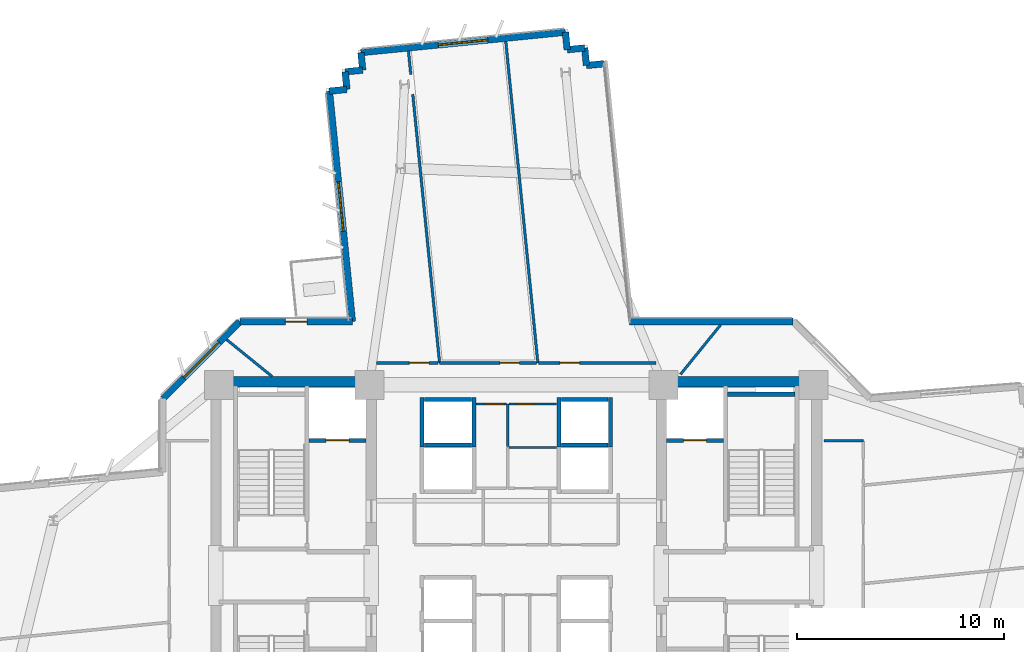
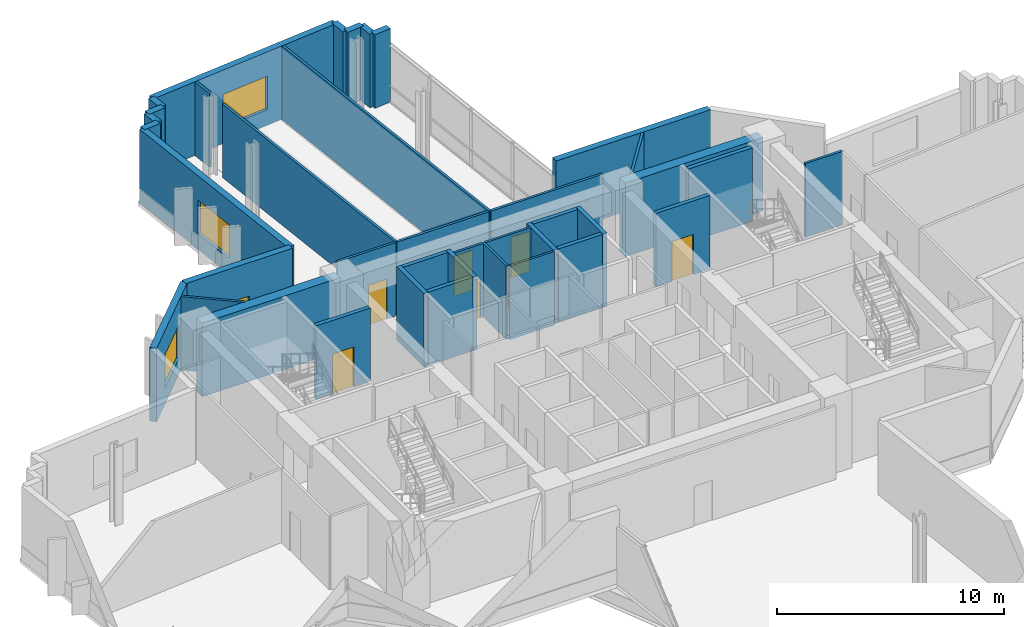
# One storey, part 9 of 14: 39 walls, 8 doors, 3 windows, 11 openings.
"""IFC4 building model written with IfcOpenShell, lengths in metres."""

from ifc_helpers import new_model, si_unit, direction, frame, frame_2d, origin, place, context, subcontext, project, spatial, rectangle, extrude, source, transform, mapped, material, layer, layer_set, type_object, element, fill, save


model = new_model("IFC4")

# Units and contexts
model_context = context("Model", 3, precision=1e-05, world=origin(), true_north=direction((0.0, 1.0)))
body_context = subcontext(model_context, "Body", "Model", "MODEL_VIEW")
ifc_project = project(units=[si_unit("LENGTHUNIT", "METRE"), si_unit("AREAUNIT", "SQUARE_METRE"), si_unit("VOLUMEUNIT", "CUBIC_METRE"), si_unit("PLANEANGLEUNIT", "RADIAN"), si_unit("MASSUNIT", "GRAM", prefix="KILO")], contexts=[model_context])

# Site, building, storey
site_placement = place(None, origin())
site = spatial("IfcSite", under=ifc_project, at=site_placement, CompositionType="ELEMENT")
building_placement = place(site_placement, origin())
building = spatial("IfcBuilding", under=site, at=building_placement, Name="Zahravan Cultural Tower", CompositionType="ELEMENT")
storey_placement = place(building_placement, frame((0.0, 0.0, 100.5)))
storey = spatial("IfcBuildingStorey", under=building, at=storey_placement, Name="L22", CompositionType="ELEMENT", Elevation=100.5)

# Wall, opening, window
ifc_material_1 = material(Name="Precast concrete C40/50", Category="concrete")
ifc_layer_1 = layer(ifc_material_1, 0.320068359375)
ifc_layer_set_1 = layer_set([ifc_layer_1], Name="Precast concrete C40/50")
wall_type_1 = type_object("IfcWallType", Name="EW-TC-320", PredefinedType="SOLIDWALL", material=ifc_layer_set_1)
wall_1_placement = place(storey_placement, frame((18.93994140625, 35.5419921875, 0.0), z_axis=(0.0, 0.0, 1.0), x_axis=(0.707106781187, 0.707106781187, 0.0)))
wall_1 = element("IfcWall", 1, at=wall_1_placement, inside=storey, type_object=wall_type_1, Name="L22 Exterior Masonry Frame Wall 13", PredefinedType="SOLIDWALL", context=body_context, shape_type="SweptSolid", body=[
    extrude(rectangle(XDim=5.258056640625, YDim=0.320068359375, at=frame_2d((2.62890625, 0.0))), origin(), (0.0, 0.0, 1.0), 3.949951171875),
])
opening_1_placement = place(wall_1_placement, frame((1.428955078125, 0.0, 0.85009765625)))
opening_1 = element("IfcOpeningElement", 2, at=opening_1_placement, cuts=wall_1, Name="Opening WN-01", PredefinedType="OPENING", context=body_context, shape_type="SweptSolid", body=[
    extrude(rectangle(XDim=2.39990234375, YDim=1.800048828125, at=frame_2d((1.199951171875, 0.89990234375))), frame((0.0, 0.169921875, 0.0), z_axis=(0.0, -1.0, 0.0), x_axis=(1.0, 0.0, 0.0)), (0.0, 0.0, 1.0), 0.340087890625),
])
ifc_material_2 = material(Name="Low-E solar-control double glazing", Category="glass")
window_type = type_object("IfcWindowType", Name="WN-REC-2400X1800", PartitioningType="DOUBLE_PANEL_VERTICAL", PredefinedType="WINDOW", material=ifc_material_2)
shared_shape_1 = source(origin(), body_context, "Body", "SweptSolid", [
    extrude(rectangle(XDim=2.39990234375, YDim=1.800048828125, at=frame_2d((1.199951171875, 0.89990234375))), frame((0.0, 0.030029296875, 0.0), z_axis=(0.0, -1.0, 0.0), x_axis=(1.0, 0.0, 0.0)), (0.0, 0.0, 1.0), 0.06005859375),
])
window_1_placement = place(opening_1_placement, origin())
window_1 = element("IfcWindow", 3, at=window_1_placement, inside=storey, type_object=window_type, Name="L22 Recessed Solar Window 03", OverallHeight=1.800048828125, OverallWidth=2.39990234375, PartitioningType="DOUBLE_PANEL_VERTICAL", PredefinedType="WINDOW", context=body_context, shape_type="MappedRepresentation", body=[
    mapped(shared_shape_1, transform((0.0, 0.0, 0.0), x_axis=(1.0, 0.0, 0.0), y_axis=(0.0, 1.0, 0.0), z_axis=(0.0, 0.0, 1.0), scale=1.0)),
])
fill(opening_1, window_1)

# Wall, opening, door
wall_2_placement = place(storey_placement, frame((22.657958984375, 39.260009765625, 0.0), z_axis=(0.0, 0.0, 1.0), x_axis=(1.0, 0.0, 0.0)))
wall_2 = element("IfcWall", 4, at=wall_2_placement, inside=storey, type_object=wall_type_1, Name="L22 Exterior Masonry Frame Wall 14", PredefinedType="SOLIDWALL", context=body_context, shape_type="SweptSolid", body=[
    extrude(rectangle(XDim=5.42529296875, YDim=0.320068359375, at=frame_2d((2.712646484375, 0.0))), origin(), (0.0, 0.0, 1.0), 3.949951171875),
])
opening_2_placement = place(wall_2_placement, frame((2.18798828125, 0.0, 0.0)))
opening_2 = element("IfcOpeningElement", 5, at=opening_2_placement, cuts=wall_2, Name="Opening D-L22-TR-NW", PredefinedType="OPENING", context=body_context, shape_type="SweptSolid", body=[
    extrude(rectangle(XDim=1.050048828125, YDim=2.14990234375, at=frame_2d((0.52490234375, 1.074951171875))), frame((0.0, 0.169921875, 0.0), z_axis=(0.0, -1.0, 0.0), x_axis=(1.0, 0.0, 0.0)), (0.0, 0.0, 1.0), 0.340087890625),
])
ifc_material_3 = material(Name="Anodised bronze-aluminium mullion", Category="aluminium")
door_type_1 = type_object("IfcDoorType", Name="DR-TERR-1050", OperationType="NOTDEFINED", PredefinedType="DOOR", material=ifc_material_3)
shared_shape_2 = source(origin(), body_context, "Body", "SweptSolid", [
    extrude(rectangle(XDim=1.050048828125, YDim=2.14990234375, at=frame_2d((0.52490234375, 1.074951171875))), frame((0.0, 0.02490234375, 0.0), z_axis=(0.0, -1.0, 0.0), x_axis=(1.0, 0.0, 0.0)), (0.0, 0.0, 1.0), 0.050048828125),
])
door_1_placement = place(opening_2_placement, origin())
door_1 = element("IfcDoor", 6, at=door_1_placement, inside=storey, type_object=door_type_1, Name="L22 Terrace Access Door NW", OperationType="SINGLE_SWING_LEFT", OverallHeight=2.14990234375, OverallWidth=1.050048828125, PredefinedType="DOOR", context=body_context, shape_type="MappedRepresentation", body=[
    mapped(shared_shape_2, transform((0.0, 0.0, 0.0), x_axis=(1.0, 0.0, 0.0), y_axis=(0.0, 1.0, 0.0), z_axis=(0.0, 0.0, 1.0), scale=1.0)),
])
fill(opening_2, door_1)

# Wall, opening, window
wall_3_placement = place(storey_placement, frame((28.083251953125, 39.260009765625, 0.0), z_axis=(0.0, 0.0, 1.0), x_axis=(-0.099322009391, 0.995055344416, 0.0)))
wall_3 = element("IfcWall", 7, at=wall_3_placement, inside=storey, type_object=wall_type_1, Name="L22 Exterior Masonry Frame Wall 15", PredefinedType="SOLIDWALL", context=body_context, shape_type="SweptSolid", body=[
    extrude(rectangle(XDim=11.17431640625, YDim=0.320068359375, at=frame_2d((5.587158203125, 0.0))), origin(), (0.0, 0.0, 1.0), 3.949951171875),
])
opening_3_placement = place(wall_3_placement, frame((4.386962890625, 0.0, 0.85009765625)))
opening_3 = element("IfcOpeningElement", 8, at=opening_3_placement, cuts=wall_3, Name="Opening WN-01", PredefinedType="OPENING", context=body_context, shape_type="SweptSolid", body=[
    extrude(rectangle(XDim=2.39990234375, YDim=1.800048828125, at=frame_2d((1.199951171875, 0.89990234375))), frame((0.0, 0.169921875, 0.0), z_axis=(0.0, -1.0, 0.0), x_axis=(1.0, 0.0, 0.0)), (0.0, 0.0, 1.0), 0.340087890625),
])
window_2_placement = place(opening_3_placement, origin())
window_2 = element("IfcWindow", 9, at=window_2_placement, inside=storey, type_object=window_type, Name="L22 Recessed Solar Window 04", OverallHeight=1.800048828125, OverallWidth=2.39990234375, PartitioningType="DOUBLE_PANEL_VERTICAL", PredefinedType="WINDOW", context=body_context, shape_type="MappedRepresentation", body=[
    mapped(shared_shape_1, transform((0.0, 0.0, 0.0), x_axis=(1.0, 0.0, 0.0), y_axis=(0.0, 1.0, 0.0), z_axis=(0.0, 0.0, 1.0), scale=1.0)),
])
fill(opening_3, window_2)

wall_4_placement = place(storey_placement, frame((28.49609375, 52.239501953125, 0.0), z_axis=(0.0, 0.0, 1.0), x_axis=(0.995054718915, 0.09932827576, 0.0)))
wall_4 = element("IfcWall", 10, at=wall_4_placement, inside=storey, type_object=wall_type_1, Name="L22 Exterior Masonry Frame Wall 20", PredefinedType="SOLIDWALL", context=body_context, shape_type="SweptSolid", body=[
    extrude(rectangle(XDim=9.920166015625, YDim=0.320068359375, at=frame_2d((4.9599609375, 0.0))), origin(), (0.0, 0.0, 1.0), 3.949951171875),
])
opening_4_placement = place(wall_4_placement, frame((3.760009765625, 0.0, 0.85009765625)))
opening_4 = element("IfcOpeningElement", 11, at=opening_4_placement, cuts=wall_4, Name="Opening WN-01", PredefinedType="OPENING", context=body_context, shape_type="SweptSolid", body=[
    extrude(rectangle(XDim=2.39990234375, YDim=1.800048828125, at=frame_2d((1.199951171875, 0.89990234375))), frame((0.0, 0.169921875, 0.0), z_axis=(0.0, -1.0, 0.0), x_axis=(1.0, 0.0, 0.0)), (0.0, 0.0, 1.0), 0.340087890625),
])
window_3_placement = place(opening_4_placement, origin())
window_3 = element("IfcWindow", 12, at=window_3_placement, inside=storey, type_object=window_type, Name="L22 Recessed Solar Window 05", OverallHeight=1.800048828125, OverallWidth=2.39990234375, PartitioningType="DOUBLE_PANEL_VERTICAL", PredefinedType="WINDOW", context=body_context, shape_type="MappedRepresentation", body=[
    mapped(shared_shape_1, transform((0.0, 0.0, 0.0), x_axis=(1.0, 0.0, 0.0), y_axis=(0.0, 1.0, 0.0), z_axis=(0.0, 0.0, 1.0), scale=1.0)),
])
fill(opening_4, window_3)

# Wall, opening, door
ifc_material_4 = material(Name="Gypsum plasterboard partition")
ifc_layer_2 = layer(ifc_material_4, 0.125)
ifc_layer_set_2 = layer_set([ifc_layer_2], Name="Gypsum plasterboard partition")
wall_type_2 = type_object("IfcWallType", Name="W-PART-125", PredefinedType="PARTITIONING", material=ifc_layer_set_2)
wall_5_placement = place(storey_placement, frame((36.96826171875, 37.260009765625, 0.0), z_axis=(0.0, 0.0, 1.0), x_axis=(-1.0, 0.0, 0.0)))
wall_5 = element("IfcWall", 13, at=wall_5_placement, inside=storey, type_object=wall_type_2, Name="L22 Interior Wall 101", PredefinedType="PARTITIONING", context=body_context, shape_type="SweptSolid", body=[
    extrude(rectangle(XDim=4.675537109375, YDim=0.125, at=frame_2d((2.337890625, 0.0))), origin(), (0.0, 0.0, 1.0), 3.949951171875),
])
opening_5_placement = place(wall_5_placement, frame((0.819580078125, 0.0, 0.0)))
opening_5 = element("IfcOpeningElement", 14, at=opening_5_placement, cuts=wall_5, Name="Opening D-L22-25", PredefinedType="OPENING", context=body_context, shape_type="SweptSolid", body=[
    extrude(rectangle(XDim=0.949951171875, YDim=2.14990234375, at=frame_2d((0.47509765625, 1.074951171875))), frame((0.0, 0.072509765625, 0.0), z_axis=(0.0, -1.0, 0.0), x_axis=(1.0, 0.0, 0.0)), (0.0, 0.0, 1.0), 0.14501953125),
])
door_type_2 = type_object("IfcDoorType", Name="DR-ROOM-950", OperationType="NOTDEFINED", PredefinedType="DOOR", material=ifc_material_3)
shared_shape_3 = source(origin(), body_context, "Body", "SweptSolid", [
    extrude(rectangle(XDim=0.949951171875, YDim=2.14990234375, at=frame_2d((0.47509765625, 1.074951171875))), frame((0.0, 0.02490234375, 0.0), z_axis=(0.0, -1.0, 0.0), x_axis=(1.0, 0.0, 0.0)), (0.0, 0.0, 1.0), 0.050048828125),
])
door_2_placement = place(opening_5_placement, origin())
door_2 = element("IfcDoor", 15, at=door_2_placement, inside=storey, type_object=door_type_2, Name="L22 Door D-L22-25", OperationType="SINGLE_SWING_RIGHT", OverallHeight=2.14990234375, OverallWidth=0.949951171875, PredefinedType="DOOR", context=body_context, shape_type="MappedRepresentation", body=[
    mapped(shared_shape_3, transform((0.0, 0.0, 0.0), x_axis=(1.0, 0.0, 0.0), y_axis=(0.0, 1.0, 0.0), z_axis=(0.0, 0.0, 1.0), scale=1.0)),
])
fill(opening_5, door_2)

wall_6_placement = place(storey_placement, frame((32.224853515625, 37.260009765625, 0.0), z_axis=(0.0, 0.0, 1.0), x_axis=(-0.999999915533, -0.000411015173, 0.0)))
wall_6 = element("IfcWall", 16, at=wall_6_placement, inside=storey, type_object=wall_type_2, Name="L22 Interior Wall 104", PredefinedType="PARTITIONING", context=body_context, shape_type="SweptSolid", body=[
    extrude(rectangle(XDim=2.969970703125, YDim=0.125, at=frame_2d((1.48486328125, 0.0))), origin(), (0.0, 0.0, 1.0), 3.949951171875),
])
opening_6_placement = place(wall_6_placement, frame((0.4443359375, 0.0, 0.0)))
opening_6 = element("IfcOpeningElement", 17, at=opening_6_placement, cuts=wall_6, Name="Opening D-L22-26", PredefinedType="OPENING", context=body_context, shape_type="SweptSolid", body=[
    extrude(rectangle(XDim=0.949951171875, YDim=2.14990234375, at=frame_2d((0.47509765625, 1.074951171875))), frame((0.0, 0.072509765625, 0.0), z_axis=(0.0, -1.0, 0.0), x_axis=(1.0, 0.0, 0.0)), (0.0, 0.0, 1.0), 0.14501953125),
])
door_3_placement = place(opening_6_placement, origin())
door_3 = element("IfcDoor", 18, at=door_3_placement, inside=storey, type_object=door_type_2, Name="L22 Door D-L22-26", OperationType="SINGLE_SWING_LEFT", OverallHeight=2.14990234375, OverallWidth=0.949951171875, PredefinedType="DOOR", context=body_context, shape_type="MappedRepresentation", body=[
    mapped(shared_shape_3, transform((0.0, 0.0, 0.0), x_axis=(1.0, 0.0, 0.0), y_axis=(0.0, 1.0, 0.0), z_axis=(0.0, 0.0, 1.0), scale=1.0)),
])
fill(opening_6, door_3)

wall_7_placement = place(storey_placement, frame((42.742431640625, 37.259765625, 0.0), z_axis=(0.0, 0.0, 1.0), x_axis=(-0.999999999078, 4.2935039e-05, 0.0)))
wall_7 = element("IfcWall", 19, at=wall_7_placement, inside=storey, type_object=wall_type_2, Name="L22 Interior Wall 110", PredefinedType="PARTITIONING", context=body_context, shape_type="SweptSolid", body=[
    extrude(rectangle(XDim=5.686279296875, YDim=0.125, at=frame_2d((2.84326171875, 0.0))), origin(), (0.0, 0.0, 1.0), 3.949951171875),
])
opening_7_placement = place(wall_7_placement, frame((3.694091796875, 0.0, 0.0)))
opening_7 = element("IfcOpeningElement", 20, at=opening_7_placement, cuts=wall_7, Name="Opening D-L22-24", PredefinedType="OPENING", context=body_context, shape_type="SweptSolid", body=[
    extrude(rectangle(XDim=0.949951171875, YDim=2.14990234375, at=frame_2d((0.47509765625, 1.074951171875))), frame((0.0, 0.072509765625, 0.0), z_axis=(0.0, -1.0, 0.0), x_axis=(1.0, 0.0, 0.0)), (0.0, 0.0, 1.0), 0.14501953125),
])
door_4_placement = place(opening_7_placement, origin())
door_4 = element("IfcDoor", 21, at=door_4_placement, inside=storey, type_object=door_type_2, Name="L22 Door D-L22-24", OperationType="SINGLE_SWING_LEFT", OverallHeight=2.14990234375, OverallWidth=0.949951171875, PredefinedType="DOOR", context=body_context, shape_type="MappedRepresentation", body=[
    mapped(shared_shape_3, transform((0.0, 0.0, 0.0), x_axis=(1.0, 0.0, 0.0), y_axis=(0.0, 1.0, 0.0), z_axis=(0.0, 0.0, 1.0), scale=1.0)),
])
fill(opening_7, door_4)

ifc_material_5 = material(Name="Concrete C45/55", Category="concrete")
ifc_layer_3 = layer(ifc_material_5, 0.199951171875)
ifc_layer_set_3 = layer_set([ifc_layer_3], Name="Concrete C45/55")
wall_type_3 = type_object("IfcWallType", Name="W-SHAFT-200", PredefinedType="SOLIDWALL", material=ifc_layer_set_3)
wall_8_placement = place(storey_placement, frame((26.0, 33.52001953125, 0.0), z_axis=(0.0, 0.0, 1.0), x_axis=(1.0, 0.0, 0.0)))
wall_8 = element("IfcWall", 22, at=wall_8_placement, inside=storey, type_object=wall_type_3, Name="L22 Interior Wall 021", PredefinedType="SOLIDWALL", context=body_context, shape_type="SweptSolid", body=[
    extrude(rectangle(XDim=2.75, YDim=0.199951171875, at=frame_2d((1.375, 0.0))), origin(), (0.0, 0.0, 1.0), 3.949951171875),
])
opening_8_placement = place(wall_8_placement, frame((0.820068359375, 0.0, 0.0)))
opening_8 = element("IfcOpeningElement", 23, at=opening_8_placement, cuts=wall_8, Name="Opening LD-L22-01", PredefinedType="OPENING", context=body_context, shape_type="SweptSolid", body=[
    extrude(rectangle(XDim=1.10009765625, YDim=2.14990234375, at=frame_2d((0.550048828125, 1.074951171875))), frame((0.0, 0.10986328125, 0.0), z_axis=(0.0, -1.0, 0.0), x_axis=(1.0, 0.0, 0.0)), (0.0, 0.0, 1.0), 0.219970703125),
])
ifc_material_6 = material(Name="Steel ASTM A572 Grade 50", Category="steel")
door_type_3 = type_object("IfcDoorType", Name="DR-LIFT-1100", OperationType="DOUBLE_DOOR_SLIDING", PredefinedType="DOOR", material=ifc_material_6)
shared_shape_4 = source(origin(), body_context, "Body", "SweptSolid", [
    extrude(rectangle(XDim=1.10009765625, YDim=2.14990234375, at=frame_2d((0.550048828125, 1.074951171875))), frame((0.0, 0.02490234375, 0.0), z_axis=(0.0, -1.0, 0.0), x_axis=(1.0, 0.0, 0.0)), (0.0, 0.0, 1.0), 0.050048828125),
])
door_5_placement = place(opening_8_placement, origin())
door_5 = element("IfcDoor", 24, at=door_5_placement, inside=storey, type_object=door_type_3, Name="L22 Door LD-L22-01", OperationType="DOUBLE_DOOR_SLIDING", OverallHeight=2.14990234375, OverallWidth=1.10009765625, PredefinedType="DOOR", context=body_context, shape_type="MappedRepresentation", body=[
    mapped(shared_shape_4, transform((0.0, 0.0, 0.0), x_axis=(1.0, 0.0, 0.0), y_axis=(0.0, 1.0, 0.0), z_axis=(0.0, 0.0, 1.0), scale=1.0)),
])
fill(opening_8, door_5)

wall_9_placement = place(storey_placement, frame((43.25, 33.52001953125, 0.0), z_axis=(0.0, 0.0, 1.0), x_axis=(1.0, 0.0, 0.0)))
wall_9 = element("IfcWall", 25, at=wall_9_placement, inside=storey, type_object=wall_type_3, Name="L22 Interior Wall 022", PredefinedType="SOLIDWALL", context=body_context, shape_type="SweptSolid", body=[
    extrude(rectangle(XDim=2.75, YDim=0.199951171875, at=frame_2d((1.375, 0.0))), origin(), (0.0, 0.0, 1.0), 3.949951171875),
])
opening_9_placement = place(wall_9_placement, frame((0.820068359375, 0.0, 0.0)))
opening_9 = element("IfcOpeningElement", 26, at=opening_9_placement, cuts=wall_9, Name="Opening LD-L22-02", PredefinedType="OPENING", context=body_context, shape_type="SweptSolid", body=[
    extrude(rectangle(XDim=1.10009765625, YDim=2.14990234375, at=frame_2d((0.550048828125, 1.074951171875))), frame((0.0, 0.10986328125, 0.0), z_axis=(0.0, -1.0, 0.0), x_axis=(1.0, 0.0, 0.0)), (0.0, 0.0, 1.0), 0.219970703125),
])
door_6_placement = place(opening_9_placement, origin())
door_6 = element("IfcDoor", 27, at=door_6_placement, inside=storey, type_object=door_type_3, Name="L22 Door LD-L22-02", OperationType="DOUBLE_DOOR_SLIDING", OverallHeight=2.14990234375, OverallWidth=1.10009765625, PredefinedType="DOOR", context=body_context, shape_type="MappedRepresentation", body=[
    mapped(shared_shape_4, transform((0.0, 0.0, 0.0), x_axis=(1.0, 0.0, 0.0), y_axis=(0.0, 1.0, 0.0), z_axis=(0.0, 0.0, 1.0), scale=1.0)),
])
fill(opening_9, door_6)

ifc_layer_4 = layer(ifc_material_4, 0.114990234375)
ifc_layer_set_4 = layer_set([ifc_layer_4], Name="Gypsum plasterboard partition")
wall_type_4 = type_object("IfcWallType", Name="W-WC-115", PredefinedType="PARTITIONING", material=ifc_layer_set_4)
wall_10_placement = place(storey_placement, frame((35.652587890625, 35.280029296875, 0.0), z_axis=(0.0, 0.0, 1.0), x_axis=(1.0, 0.0, 0.0)))
wall_10 = element("IfcWall", 28, at=wall_10_placement, inside=storey, type_object=wall_type_4, Name="L22 Interior Wall 073", PredefinedType="PARTITIONING", context=body_context, shape_type="SweptSolid", body=[
    extrude(rectangle(XDim=2.29248046875, YDim=0.114990234375, at=frame_2d((1.146240234375, 0.0))), origin(), (0.0, 0.0, 1.0), 3.949951171875),
])
opening_10_placement = place(wall_10_placement, frame((0.3203125, 0.0, 0.0)))
opening_10 = element("IfcOpeningElement", 29, at=opening_10_placement, cuts=wall_10, Name="Opening D-L22-14", PredefinedType="OPENING", context=body_context, shape_type="SweptSolid", body=[
    extrude(rectangle(XDim=0.89990234375, YDim=2.10009765625, at=frame_2d((0.449951171875, 1.050048828125))), frame((0.0, 0.0673828125, 0.0), z_axis=(0.0, -1.0, 0.0), x_axis=(1.0, 0.0, 0.0)), (0.0, 0.0, 1.0), 0.135009765625),
])
door_type_4 = type_object("IfcDoorType", Name="DR-WC-900", OperationType="NOTDEFINED", PredefinedType="DOOR", material=ifc_material_3)
shared_shape_5 = source(origin(), body_context, "Body", "SweptSolid", [
    extrude(rectangle(XDim=0.89990234375, YDim=2.10009765625, at=frame_2d((0.449951171875, 1.050048828125))), frame((0.0, 0.02490234375, 0.0), z_axis=(0.0, -1.0, 0.0), x_axis=(1.0, 0.0, 0.0)), (0.0, 0.0, 1.0), 0.050048828125),
])
door_7_placement = place(opening_10_placement, origin())
door_7 = element("IfcDoor", 30, at=door_7_placement, inside=storey, type_object=door_type_4, Name="L22 Door D-L22-14", OperationType="SINGLE_SWING_LEFT", OverallHeight=2.10009765625, OverallWidth=0.89990234375, PredefinedType="DOOR", context=body_context, shape_type="MappedRepresentation", body=[
    mapped(shared_shape_5, transform((0.0, 0.0, 0.0), x_axis=(1.0, 0.0, 0.0), y_axis=(0.0, 1.0, 0.0), z_axis=(0.0, 0.0, 1.0), scale=1.0)),
])
fill(opening_10, door_7)

wall_11_placement = place(storey_placement, frame((34.054931640625, 35.280029296875, 0.0), z_axis=(0.0, 0.0, 1.0), x_axis=(1.0, 0.0, 0.0)))
wall_11 = element("IfcWall", 31, at=wall_11_placement, inside=storey, type_object=wall_type_4, Name="L22 Interior Wall 075", PredefinedType="PARTITIONING", context=body_context, shape_type="SweptSolid", body=[
    extrude(rectangle(XDim=1.47265625, YDim=0.114990234375, at=frame_2d((0.736328125, 0.0))), origin(), (0.0, 0.0, 1.0), 3.949951171875),
])
opening_11_placement = place(wall_11_placement, frame((0.4326171875, 0.0, 0.0)))
opening_11 = element("IfcOpeningElement", 32, at=opening_11_placement, cuts=wall_11, Name="Opening D-L22-13", PredefinedType="OPENING", context=body_context, shape_type="SweptSolid", body=[
    extrude(rectangle(XDim=0.89990234375, YDim=2.10009765625, at=frame_2d((0.449951171875, 1.050048828125))), frame((0.0, 0.0673828125, 0.0), z_axis=(0.0, -1.0, 0.0), x_axis=(1.0, 0.0, 0.0)), (0.0, 0.0, 1.0), 0.135009765625),
])
door_8_placement = place(opening_11_placement, origin())
door_8 = element("IfcDoor", 33, at=door_8_placement, inside=storey, type_object=door_type_4, Name="L22 Door D-L22-13", OperationType="SINGLE_SWING_RIGHT", OverallHeight=2.10009765625, OverallWidth=0.89990234375, PredefinedType="DOOR", context=body_context, shape_type="MappedRepresentation", body=[
    mapped(shared_shape_5, transform((0.0, 0.0, 0.0), x_axis=(1.0, 0.0, 0.0), y_axis=(0.0, 1.0, 0.0), z_axis=(0.0, 0.0, 1.0), scale=1.0)),
])
fill(opening_11, door_8)

# Walls
ifc_material_7 = material(Name="Concrete C60/75", Category="concrete")
ifc_layer_5 = layer(ifc_material_7, 0.5)
ifc_layer_set_5 = layer_set([ifc_layer_5], Name="Concrete C60/75")
wall_type_5 = type_object("IfcWallType", Name="CW-SHEAR-500-C60", PredefinedType="SHEAR", material=ifc_layer_set_5)
shared_shape_6 = source(origin(), body_context, "Body", "SweptSolid", [
    extrude(rectangle(XDim=7.0, YDim=0.5, at=frame_2d((3.5, 0.0))), origin(), (0.0, 0.0, 1.0), 3.949951171875),
])
for number, where, z_axis, x_axis, name in (
    (34, (21.75, 36.35009765625, 0.0), (0.0, 0.0, 1.0), (1.0, 0.0, 0.0), "L22 Core Shear Wall CW-W-N-L22"),
    (35, (43.25, 36.35009765625, 0.0), (0.0, 0.0, 1.0), (1.0, 0.0, 0.0), "L22 Core Shear Wall CW-E-N-L22"),
):
    element("IfcWall", number, at=place(storey_placement, frame(where, z_axis=z_axis, x_axis=x_axis)), inside=storey, type_object=wall_type_5, Name=name, PredefinedType="SHEAR", context=body_context, shape_type="MappedRepresentation", body=[
        mapped(shared_shape_6, transform((0.0, 0.0, 0.0), x_axis=(1.0, 0.0, 0.0), y_axis=(0.0, 1.0, 0.0), z_axis=(0.0, 0.0, 1.0), scale=1.0)),
    ])
shared_shape_7 = source(origin(), body_context, "Body", "SweptSolid", [
    extrude(rectangle(XDim=0.849853515625, YDim=0.320068359375, at=frame_2d((0.4248046875, 0.0))), origin(), (0.0, 0.0, 1.0), 3.949951171875),
])
for number, where, z_axis, x_axis, name in (
    (36, (26.973388671875, 50.379150390625, 0.0), (0.0, 0.0, 1.0), (0.995076929088, 0.099105525559, 0.0), "L22 Exterior Masonry Frame Wall 16"),
    (37, (28.58056640625, 51.393798828125, 0.0), (0.0, 0.0, 1.0), (-0.09938995433, 0.995048560111, 0.0), "L22 Exterior Masonry Frame Wall 19"),
    (38, (39.29736328125, 52.46337890625, 0.0), (0.0, 0.0, 1.0), (0.099105525559, -0.995076929088, 0.0), "L22 Exterior Masonry Frame Wall 23"),
):
    element("IfcWall", number, at=place(storey_placement, frame(where, z_axis=z_axis, x_axis=x_axis)), inside=storey, type_object=wall_type_1, Name=name, PredefinedType="SOLIDWALL", context=body_context, shape_type="MappedRepresentation", body=[
        mapped(shared_shape_7, transform((0.0, 0.0, 0.0), x_axis=(1.0, 0.0, 0.0), y_axis=(0.0, 1.0, 0.0), z_axis=(0.0, 0.0, 1.0), scale=1.0)),
    ])
shared_shape_8 = source(origin(), body_context, "Body", "SweptSolid", [
    extrude(rectangle(XDim=0.85009765625, YDim=0.320068359375, at=frame_2d((0.425048828125, 0.0))), origin(), (0.0, 0.0, 1.0), 3.949951171875),
])
for number, where, z_axis, x_axis, name in (
    (39, (27.819091796875, 50.46337890625, 0.0), (0.0, 0.0, 1.0), (-0.099361553589, 0.995051396496, 0.0), "L22 Exterior Masonry Frame Wall 17"),
    (40, (27.734619140625, 51.309326171875, 0.0), (0.0, 0.0, 1.0), (0.995051396496, 0.099361553589, 0.0), "L22 Exterior Masonry Frame Wall 18"),
    (41, (38.3671875, 53.224853515625, 0.0), (0.0, 0.0, 1.0), (0.09907720448, -0.995079749343, 0.0), "L22 Exterior Masonry Frame Wall 21"),
    (42, (38.451416015625, 52.37890625, 0.0), (0.0, 0.0, 1.0), (0.995051396496, 0.099361553589, 0.0), "L22 Exterior Masonry Frame Wall 22"),
    (43, (39.381591796875, 51.61767578125, 0.0), (0.0, 0.0, 1.0), (0.995079749343, 0.09907720448, 0.0), "L22 Exterior Masonry Frame Wall 24"),
):
    element("IfcWall", number, at=place(storey_placement, frame(where, z_axis=z_axis, x_axis=x_axis)), inside=storey, type_object=wall_type_1, Name=name, PredefinedType="SOLIDWALL", context=body_context, shape_type="MappedRepresentation", body=[
        mapped(shared_shape_8, transform((0.0, 0.0, 0.0), x_axis=(1.0, 0.0, 0.0), y_axis=(0.0, 1.0, 0.0), z_axis=(0.0, 0.0, 1.0), scale=1.0)),
    ])
shared_shape_9 = source(origin(), body_context, "Body", "SweptSolid", [
    extrude(rectangle(XDim=7.87255859375, YDim=0.320068359375, at=frame_2d((3.936279296875, 0.0))), origin(), (0.0, 0.0, 1.0), 3.949951171875),
])
wall_12_placement = place(storey_placement, frame((41.469482421875, 39.260009765625, 0.0), z_axis=(0.0, 0.0, 1.0), x_axis=(1.0, 0.0, 0.0)))
element("IfcWall", 44, at=wall_12_placement, inside=storey, type_object=wall_type_1, Name="L22 Exterior Masonry Frame Wall 25", PredefinedType="SOLIDWALL", context=body_context, shape_type="MappedRepresentation", body=[
    mapped(shared_shape_9, transform((0.0, 0.0, 0.0), x_axis=(1.0, 0.0, 0.0), y_axis=(0.0, 1.0, 0.0), z_axis=(0.0, 0.0, 1.0), scale=1.0)),
])
shared_shape_10 = source(origin(), body_context, "Body", "SweptSolid", [
    extrude(rectangle(XDim=3.25, YDim=0.199951171875, at=frame_2d((1.625, 0.0))), origin(), (0.0, 0.0, 1.0), 3.949951171875),
])
wall_13_placement = place(storey_placement, frame((46.199951171875, 35.75, 0.0), z_axis=(0.0, 0.0, 1.0), x_axis=(1.0, 0.0, 0.0)))
element("IfcWall", 45, at=wall_13_placement, inside=storey, type_object=wall_type_3, Name="L22 Interior Wall 018", PredefinedType="SOLIDWALL", context=body_context, shape_type="MappedRepresentation", body=[
    mapped(shared_shape_10, transform((0.0, 0.0, 0.0), x_axis=(1.0, 0.0, 0.0), y_axis=(0.0, 1.0, 0.0), z_axis=(0.0, 0.0, 1.0), scale=1.0)),
])
shared_shape_11 = source(origin(), body_context, "Body", "SweptSolid", [
    extrude(rectangle(XDim=2.400146484375, YDim=0.199951171875, at=frame_2d((1.2001953125, 0.0))), origin(), (0.0, 0.0, 1.0), 3.949951171875),
])
for number, where, z_axis, x_axis, name in (
    (46, (31.449951171875, 33.199951171875, 0.0), (0.0, 0.0, 1.0), (0.0, 1.0, 0.0), "L22 Interior Wall 029"),
    (47, (33.949951171875, 33.199951171875, 0.0), (0.0, 0.0, 1.0), (0.0, 1.0, 0.0), "L22 Interior Wall 030"),
    (48, (38.050048828125, 33.199951171875, 0.0), (0.0, 0.0, 1.0), (0.0, 1.0, 0.0), "L22 Interior Wall 036"),
    (49, (40.550048828125, 33.199951171875, 0.0), (0.0, 0.0, 1.0), (0.0, 1.0, 0.0), "L22 Interior Wall 037"),
):
    element("IfcWall", number, at=place(storey_placement, frame(where, z_axis=z_axis, x_axis=x_axis)), inside=storey, type_object=wall_type_3, Name=name, PredefinedType="SOLIDWALL", context=body_context, shape_type="MappedRepresentation", body=[
        mapped(shared_shape_11, transform((0.0, 0.0, 0.0), x_axis=(1.0, 0.0, 0.0), y_axis=(0.0, 1.0, 0.0), z_axis=(0.0, 0.0, 1.0), scale=1.0)),
    ])
shared_shape_12 = source(origin(), body_context, "Body", "SweptSolid", [
    extrude(rectangle(XDim=2.260009765625, YDim=0.199951171875, at=frame_2d((1.1298828125, 0.0))), origin(), (0.0, 0.0, 1.0), 3.949951171875),
])
for number, where, z_axis, x_axis, name in (
    (50, (31.570068359375, 33.300048828125, 0.0), (0.0, 0.0, 1.0), (1.0, 0.0, 0.0), "L22 Interior Wall 031"),
    (51, (31.570068359375, 35.5, 0.0), (0.0, 0.0, 1.0), (1.0, 0.0, 0.0), "L22 Interior Wall 032"),
    (52, (38.169921875, 33.300048828125, 0.0), (0.0, 0.0, 1.0), (1.0, 0.0, 0.0), "L22 Interior Wall 038"),
    (53, (38.169921875, 35.5, 0.0), (0.0, 0.0, 1.0), (1.0, 0.0, 0.0), "L22 Interior Wall 039"),
):
    element("IfcWall", number, at=place(storey_placement, frame(where, z_axis=z_axis, x_axis=x_axis)), inside=storey, type_object=wall_type_3, Name=name, PredefinedType="SOLIDWALL", context=body_context, shape_type="MappedRepresentation", body=[
        mapped(shared_shape_12, transform((0.0, 0.0, 0.0), x_axis=(1.0, 0.0, 0.0), y_axis=(0.0, 1.0, 0.0), z_axis=(0.0, 0.0, 1.0), scale=1.0)),
    ])
shared_shape_13 = source(origin(), body_context, "Body", "SweptSolid", [
    extrude(rectangle(XDim=2.0400390625, YDim=0.114990234375, at=frame_2d((1.02001953125, 0.0))), origin(), (0.0, 0.0, 1.0), 3.949951171875),
])
wall_14_placement = place(storey_placement, frame((35.590087890625, 33.239990234375, 0.0), z_axis=(0.0, 0.0, 1.0), x_axis=(0.0, 1.0, 0.0)))
element("IfcWall", 54, at=wall_14_placement, inside=storey, type_object=wall_type_4, Name="L22 Interior Wall 072", PredefinedType="PARTITIONING", context=body_context, shape_type="MappedRepresentation", body=[
    mapped(shared_shape_13, transform((0.0, 0.0, 0.0), x_axis=(1.0, 0.0, 0.0), y_axis=(0.0, 1.0, 0.0), z_axis=(0.0, 0.0, 1.0), scale=1.0)),
])
shared_shape_14 = source(origin(), body_context, "Body", "SweptSolid", [
    extrude(rectangle(XDim=2.29248046875, YDim=0.114990234375, at=frame_2d((1.146240234375, 0.0))), origin(), (0.0, 0.0, 1.0), 3.949951171875),
])
wall_15_placement = place(storey_placement, frame((35.652587890625, 33.179931640625, 0.0), z_axis=(0.0, 0.0, 1.0), x_axis=(1.0, 0.0, 0.0)))
element("IfcWall", 55, at=wall_15_placement, inside=storey, type_object=wall_type_4, Name="L22 Interior Wall 071", PredefinedType="PARTITIONING", context=body_context, shape_type="MappedRepresentation", body=[
    mapped(shared_shape_14, transform((0.0, 0.0, 0.0), x_axis=(1.0, 0.0, 0.0), y_axis=(0.0, 1.0, 0.0), z_axis=(0.0, 0.0, 1.0), scale=1.0)),
])
shared_shape_15 = source(origin(), body_context, "Body", "SweptSolid", [
    extrude(rectangle(XDim=3.072021484375, YDim=0.125, at=frame_2d((1.5361328125, 0.0))), origin(), (0.0, 0.0, 1.0), 3.949951171875),
])
wall_16_placement = place(storey_placement, frame((43.919921875, 36.708740234375, 0.0), z_axis=(0.0, 0.0, 1.0), x_axis=(0.629760486176, 0.776789373029, 0.0)))
element("IfcWall", 56, at=wall_16_placement, inside=storey, type_object=wall_type_2, Name="L22 Interior Wall 094", PredefinedType="PARTITIONING", context=body_context, shape_type="MappedRepresentation", body=[
    mapped(shared_shape_15, transform((0.0, 0.0, 0.0), x_axis=(1.0, 0.0, 0.0), y_axis=(0.0, 1.0, 0.0), z_axis=(0.0, 0.0, 1.0), scale=1.0)),
])
shared_shape_16 = source(origin(), body_context, "Body", "SweptSolid", [
    extrude(rectangle(XDim=1.891357421875, YDim=0.125, at=frame_2d((0.94580078125, 0.0))), origin(), (0.0, 0.0, 1.0), 3.949951171875),
])
wall_17_placement = place(storey_placement, frame((52.7490234375, 33.4990234375, 0.0), z_axis=(0.0, 0.0, 1.0), x_axis=(-0.99999992502, 0.000387246647, 0.0)))
element("IfcWall", 57, at=wall_17_placement, inside=storey, type_object=wall_type_2, Name="L22 Interior Wall 096", PredefinedType="PARTITIONING", context=body_context, shape_type="MappedRepresentation", body=[
    mapped(shared_shape_16, transform((0.0, 0.0, 0.0), x_axis=(1.0, 0.0, 0.0), y_axis=(0.0, 1.0, 0.0), z_axis=(0.0, 0.0, 1.0), scale=1.0)),
])
shared_shape_17 = source(origin(), body_context, "Body", "SweptSolid", [
    extrude(rectangle(XDim=15.588623046875, YDim=0.125, at=frame_2d((7.79443359375, 0.0))), origin(), (0.0, 0.0, 1.0), 3.949951171875),
])
wall_18_placement = place(storey_placement, frame((35.48779296875, 52.771484375, 0.0), z_axis=(0.0, 0.0, 1.0), x_axis=(0.099325393126, -0.995055006661, 0.0)))
element("IfcWall", 58, at=wall_18_placement, inside=storey, type_object=wall_type_2, Name="L22 Interior Wall 100", PredefinedType="PARTITIONING", context=body_context, shape_type="MappedRepresentation", body=[
    mapped(shared_shape_17, transform((0.0, 0.0, 0.0), x_axis=(1.0, 0.0, 0.0), y_axis=(0.0, 1.0, 0.0), z_axis=(0.0, 0.0, 1.0), scale=1.0)),
])
shared_shape_18 = source(origin(), body_context, "Body", "SweptSolid", [
    extrude(rectangle(XDim=13.0322265625, YDim=0.125, at=frame_2d((6.51611328125, 0.0))), origin(), (0.0, 0.0, 1.0), 3.949951171875),
])
wall_19_placement = place(storey_placement, frame((32.292724609375, 37.260009765625, 0.0), z_axis=(0.0, 0.0, 1.0), x_axis=(-0.099325655293, 0.995054980491, 0.0)))
element("IfcWall", 59, at=wall_19_placement, inside=storey, type_object=wall_type_2, Name="L22 Interior Wall 102", PredefinedType="PARTITIONING", context=body_context, shape_type="MappedRepresentation", body=[
    mapped(shared_shape_18, transform((0.0, 0.0, 0.0), x_axis=(1.0, 0.0, 0.0), y_axis=(0.0, 1.0, 0.0), z_axis=(0.0, 0.0, 1.0), scale=1.0)),
])
shared_shape_19 = source(origin(), body_context, "Body", "SweptSolid", [
    extrude(rectangle(XDim=1.12060546875, YDim=0.125, at=frame_2d((0.560302734375, 0.0))), origin(), (0.0, 0.0, 1.0), 3.949951171875),
])
wall_20_placement = place(storey_placement, frame((30.90234375, 51.187744140625, 0.0), z_axis=(0.0, 0.0, 1.0), x_axis=(-0.099352712797, 0.99505227926, 0.0)))
element("IfcWall", 60, at=wall_20_placement, inside=storey, type_object=wall_type_2, Name="L22 Interior Wall 103", PredefinedType="PARTITIONING", context=body_context, shape_type="MappedRepresentation", body=[
    mapped(shared_shape_19, transform((0.0, 0.0, 0.0), x_axis=(1.0, 0.0, 0.0), y_axis=(0.0, 1.0, 0.0), z_axis=(0.0, 0.0, 1.0), scale=1.0)),
])
shared_shape_20 = source(origin(), body_context, "Body", "SweptSolid", [
    extrude(rectangle(XDim=2.826904296875, YDim=0.125, at=frame_2d((1.41357421875, 0.0))), origin(), (0.0, 0.0, 1.0), 3.949951171875),
])
wall_21_placement = place(storey_placement, frame((24.212646484375, 36.60498046875, 0.0), z_axis=(0.0, 0.0, 1.0), x_axis=(-0.776808269954, 0.62973717671, 0.0)))
element("IfcWall", 61, at=wall_21_placement, inside=storey, type_object=wall_type_2, Name="L22 Interior Wall 105", PredefinedType="PARTITIONING", context=body_context, shape_type="MappedRepresentation", body=[
    mapped(shared_shape_20, transform((0.0, 0.0, 0.0), x_axis=(1.0, 0.0, 0.0), y_axis=(0.0, 1.0, 0.0), z_axis=(0.0, 0.0, 1.0), scale=1.0)),
])

save(model, "model.ifc")
